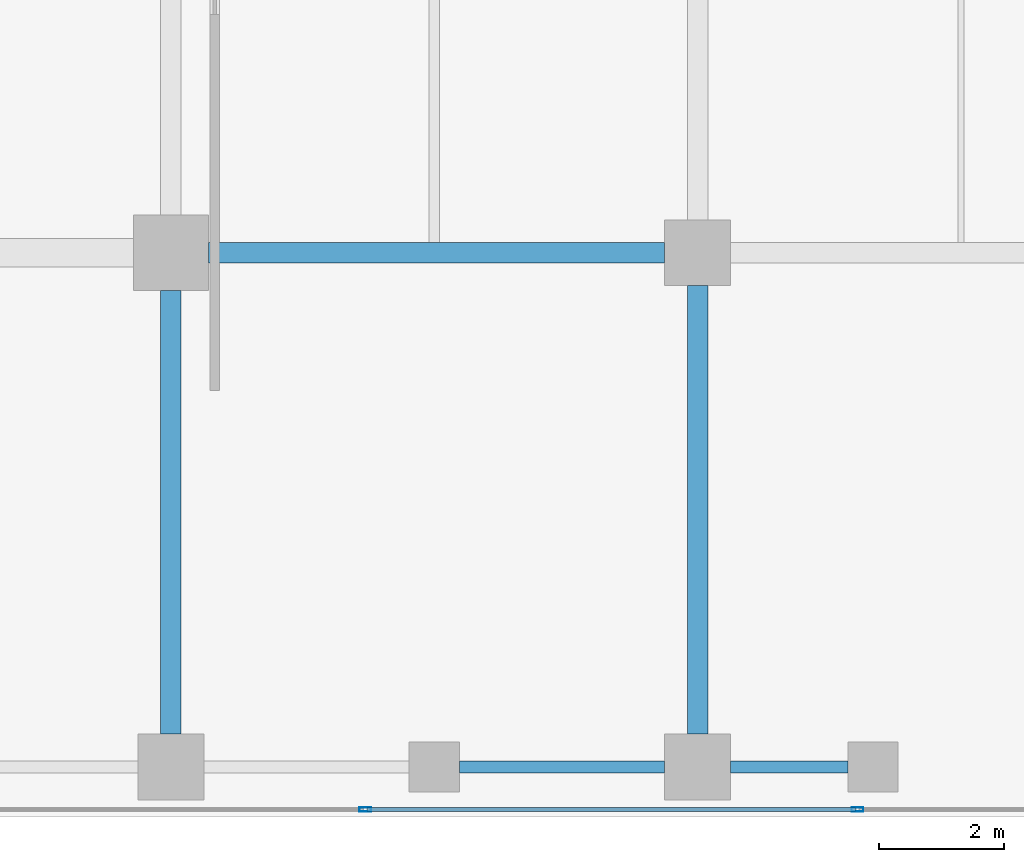
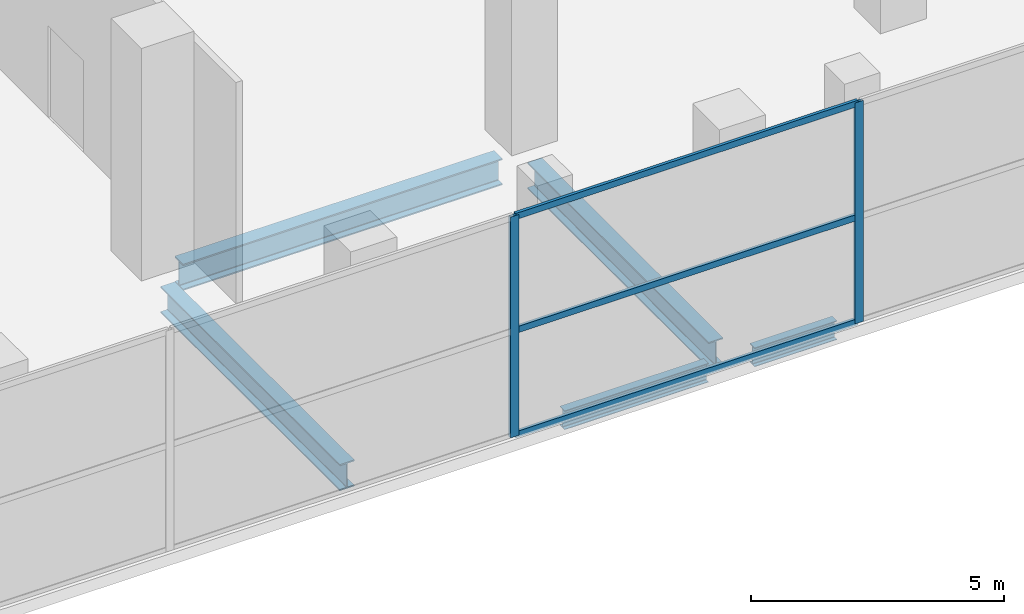
# One storey, part 15 of 40: 5 beams, 5 members, 1 element without a shape of its own.
"""IFC4 building model written with IfcOpenShell, lengths in metres."""

from ifc_helpers import new_model, si_unit, direction, frame, origin, origin_2d, place, context, subcontext, project, spatial, hollow_rectangle, i_section, extrude, material, layer, layer_set, material_profile, profile_set, type_object, element, aggregate, save


model = new_model("IFC4")

# Units and contexts
model_context = context("Model", 3, precision=1e-05, world=origin(), true_north=direction((0.0, 1.0)))
body_context = subcontext(model_context, "Body", "Model", "MODEL_VIEW")
ifc_project = project(units=[si_unit("LENGTHUNIT", "METRE"), si_unit("AREAUNIT", "SQUARE_METRE"), si_unit("VOLUMEUNIT", "CUBIC_METRE"), si_unit("PLANEANGLEUNIT", "RADIAN"), si_unit("MASSUNIT", "GRAM", prefix="KILO")], contexts=[model_context])

# Site, building, storey
site_placement = place(None, origin())
site = spatial("IfcSite", under=ifc_project, at=site_placement, CompositionType="ELEMENT")
building_placement = place(site_placement, origin())
building = spatial("IfcBuilding", under=site, at=building_placement, Name="Maruvema Waterfront Hotel and Observation Tower", CompositionType="ELEMENT")
storey_placement = place(building_placement, frame((0.0, 0.0, 10.85009765625)))
storey = spatial("IfcBuildingStorey", under=building, at=storey_placement, Name="L02", CompositionType="ELEMENT", Elevation=10.85009765625)

# Curtain wall, members
ifc_material_1 = material(Name="Anodised bronze aluminium and solar-control low-E IGU", Category="aluminium")
ifc_layer = layer(ifc_material_1, 0.159912109375, Name="Podium Waterfront Storefront Curtain Wall System CW-01")
ifc_layer_set = layer_set([ifc_layer], Name="Anodised bronze aluminium and solar-control low-E IGU")
curtain_wall_type = type_object("IfcCurtainWallType", Name="Podium Waterfront Storefront Curtain Wall System CW-01", PredefinedType="USERDEFINED", material=ifc_layer_set)
curtain_wall_placement = place(storey_placement, origin())
curtain_wall = element("IfcCurtainWall", 1, at=curtain_wall_placement, inside=storey, type_object=curtain_wall_type, Name="L02 Curtain Wall CW-L02-S", ObjectType="UNITISED CURTAIN WALL", PredefinedType="USERDEFINED")
ifc_material_2 = material(Name="Anodised architectural bronze aluminium", Category="aluminium")
ifc_material_profile_1 = material_profile(ifc_material_2, hollow_rectangle(XDim=0.070068359375, YDim=0.14990234375, WallThickness=0.00390625, at=origin_2d()), Name="ALU-T70x150")
ifc_profile_set_1 = profile_set([ifc_material_profile_1], Name="Anodised architectural bronze aluminium")
member_type_1 = type_object("IfcMemberType", Name="Curtain Wall Horizontal Transom ALU-T70x150", PredefinedType="USERDEFINED", material=ifc_profile_set_1)
member_1_placement = place(storey_placement, frame((53.530029296875, 0.1201171875, 0.02978515625), z_axis=(1.0, 0.0, 0.0), x_axis=(0.0, 1.0, 0.0)))
member_1 = element("IfcMember", 2, at=member_1_placement, type_object=member_type_1, Name="CW-01 transom 7.1", ObjectType="TRANSOM", PredefinedType="USERDEFINED", context=body_context, shape_type="SweptSolid", body=[
    extrude(hollow_rectangle(XDim=0.070068359375, YDim=0.14990234375, WallThickness=0.00390625, at=origin_2d()), origin(), (0.0, 0.0, 1.0), 7.7900390625),
])
member_2_placement = place(storey_placement, frame((53.530029296875, 0.1201171875, 2.5498046875), z_axis=(1.0, 0.0, 0.0), x_axis=(0.0, 1.0, 0.0)))
member_2 = element("IfcMember", 3, at=member_2_placement, type_object=member_type_1, Name="CW-01 transom 7.2", ObjectType="TRANSOM", PredefinedType="USERDEFINED", context=body_context, shape_type="SweptSolid", body=[
    extrude(hollow_rectangle(XDim=0.070068359375, YDim=0.14990234375, WallThickness=0.00390625, at=origin_2d()), origin(), (0.0, 0.0, 1.0), 7.7900390625),
])
member_3_placement = place(storey_placement, frame((53.530029296875, 0.1201171875, 5.289794921875), z_axis=(1.0, 0.0, 0.0), x_axis=(0.0, 1.0, 0.0)))
member_3 = element("IfcMember", 4, at=member_3_placement, type_object=member_type_1, Name="CW-01 transom 7.3", ObjectType="TRANSOM", PredefinedType="USERDEFINED", context=body_context, shape_type="SweptSolid", body=[
    extrude(hollow_rectangle(XDim=0.070068359375, YDim=0.14990234375, WallThickness=0.00390625, at=origin_2d()), origin(), (0.0, 0.0, 1.0), 7.7900390625),
])

# Beams
ifc_material_3 = material(Name="Steel ASTM A572 Grade 50", Category="steel")
ifc_material_profile_2 = material_profile(ifc_material_3, i_section(OverallWidth=0.18994140625, OverallDepth=0.45703125, WebThickness=0.009033203125, FlangeThickness=0.014404296875, FilletRadius=0.014892578125, at=origin_2d()), Name="W460x74.0")
ifc_profile_set_2 = profile_set([ifc_material_profile_2], Name="Steel ASTM A572 Grade 50")
beam_type_1 = type_object("IfcBeamType", Name="Perimeter Spandrel Beam W460x74.0", PredefinedType="SPANDREL", material=ifc_profile_set_2)
beam_1_placement = place(storey_placement, frame((55.0, 0.800048828125, -0.508544921875), z_axis=(1.0, 0.0, 0.0), x_axis=(0.0, 1.0, 0.0)))
element("IfcBeam", 5, at=beam_1_placement, inside=storey, type_object=beam_type_1, Name="L02 Floor Girder EW-08", PredefinedType="SPANDREL", context=body_context, shape_type="SweptSolid", body=[
    extrude(i_section(OverallWidth=0.18994140625, OverallDepth=0.45703125, WebThickness=0.009033203125, FlangeThickness=0.014404296875, FilletRadius=0.014892578125, at=origin_2d()), origin(), (0.0, 0.0, 1.0), 3.27490234375),
])
beam_2_placement = place(storey_placement, frame((59.324951171875, 0.800048828125, -0.508544921875), z_axis=(1.0, 0.0, 0.0), x_axis=(0.0, 1.0, 0.0)))
element("IfcBeam", 6, at=beam_2_placement, inside=storey, type_object=beam_type_1, Name="L02 Floor Girder EW-09", PredefinedType="SPANDREL", context=body_context, shape_type="SweptSolid", body=[
    extrude(i_section(OverallWidth=0.18994140625, OverallDepth=0.45703125, WebThickness=0.009033203125, FlangeThickness=0.014404296875, FilletRadius=0.014892578125, at=origin_2d()), origin(), (0.0, 0.0, 1.0), 1.875),
])

# Member
ifc_material_4 = material(Name="Anodised architectural bronze aluminium", Category="aluminium")
ifc_material_profile_3 = material_profile(ifc_material_4, hollow_rectangle(XDim=0.070068359375, YDim=0.18994140625, WallThickness=0.00390625, at=origin_2d()), Name="ALU-M70x190")
ifc_profile_set_3 = profile_set([ifc_material_profile_3], Name="Anodised architectural bronze aluminium")
member_type_2 = type_object("IfcMemberType", Name="Podium Storefront Heavy Mullion ALU-M70x190", PredefinedType="MULLION", material=ifc_profile_set_3)
member_4_placement = place(storey_placement, frame((53.5, 0.1201171875, 0.0), z_axis=(0.0, 0.0, 1.0), x_axis=(0.0, 1.0, 0.0)))
member_4 = element("IfcMember", 7, at=member_4_placement, type_object=member_type_2, Name="CW-01 mullion 7", PredefinedType="MULLION", context=body_context, shape_type="SweptSolid", body=[
    extrude(hollow_rectangle(XDim=0.070068359375, YDim=0.18994140625, WallThickness=0.00390625, at=origin_2d()), origin(), (0.0, 0.0, 1.0), 5.31982421875),
])

member_5_placement = place(storey_placement, frame((61.35009765625, 0.1201171875, 0.0), z_axis=(0.0, 0.0, 1.0), x_axis=(0.0, 1.0, 0.0)))
member_5 = element("IfcMember", 8, at=member_5_placement, type_object=member_type_2, Name="CW-01 mullion 8", PredefinedType="MULLION", context=body_context, shape_type="SweptSolid", body=[
    extrude(hollow_rectangle(XDim=0.070068359375, YDim=0.18994140625, WallThickness=0.00390625, at=origin_2d()), origin(), (0.0, 0.0, 1.0), 5.31982421875),
])

aggregate(curtain_wall, [member_4, member_5, member_1, member_2, member_3])

# Beams
ifc_material_5 = material(Name="Steel ASTM A572 Grade 50", Category="steel")
ifc_material_profile_4 = material_profile(ifc_material_5, i_section(OverallWidth=0.3291015625, OverallDepth=0.635009765625, WebThickness=0.017822265625, FlangeThickness=0.031005859375, FilletRadius=0.01806640625, at=origin_2d()), Name="W610x241.0")
ifc_profile_set_4 = profile_set([ifc_material_profile_4], Name="Steel ASTM A572 Grade 50")
beam_type_2 = type_object("IfcBeamType", Name="Primary Floor Girder W610x241.0", PredefinedType="BEAM", material=ifc_profile_set_4)
beam_3_placement = place(storey_placement, frame((51.0, 9.0, -0.59765625), z_axis=(1.0, 0.0, 0.0), x_axis=(0.0, 1.0, 0.0)))
element("IfcBeam", 9, at=beam_3_placement, inside=storey, type_object=beam_type_2, Name="L02 Floor Girder EW-13", PredefinedType="BEAM", context=body_context, shape_type="SweptSolid", body=[
    extrude(i_section(OverallWidth=0.3291015625, OverallDepth=0.635009765625, WebThickness=0.017822265625, FlangeThickness=0.031005859375, FilletRadius=0.01806640625, at=origin_2d()), origin(), (0.0, 0.0, 1.0), 7.27490234375),
])
beam_4_placement = place(storey_placement, frame((50.39990234375, 1.324951171875, -0.59765625), z_axis=(0.0, 1.0, 0.0), x_axis=(-1.0, 0.0, 0.0)))
element("IfcBeam", 10, at=beam_4_placement, inside=storey, type_object=beam_type_2, Name="L02 Floor Girder NS-18", PredefinedType="BEAM", context=body_context, shape_type="SweptSolid", body=[
    extrude(i_section(OverallWidth=0.3291015625, OverallDepth=0.635009765625, WebThickness=0.017822265625, FlangeThickness=0.031005859375, FilletRadius=0.01806640625, at=origin_2d()), origin(), (0.0, 0.0, 1.0), 7.074951171875),
])
beam_5_placement = place(storey_placement, frame((58.800048828125, 1.324951171875, -0.59765625), z_axis=(0.0, 1.0, 0.0), x_axis=(-1.0, 0.0, 0.0)))
element("IfcBeam", 11, at=beam_5_placement, inside=storey, type_object=beam_type_2, Name="L02 Floor Girder NS-23", PredefinedType="BEAM", context=body_context, shape_type="SweptSolid", body=[
    extrude(i_section(OverallWidth=0.3291015625, OverallDepth=0.635009765625, WebThickness=0.017822265625, FlangeThickness=0.031005859375, FilletRadius=0.01806640625, at=origin_2d()), origin(), (0.0, 0.0, 1.0), 7.150146484375),
])

save(model, "model.ifc")
